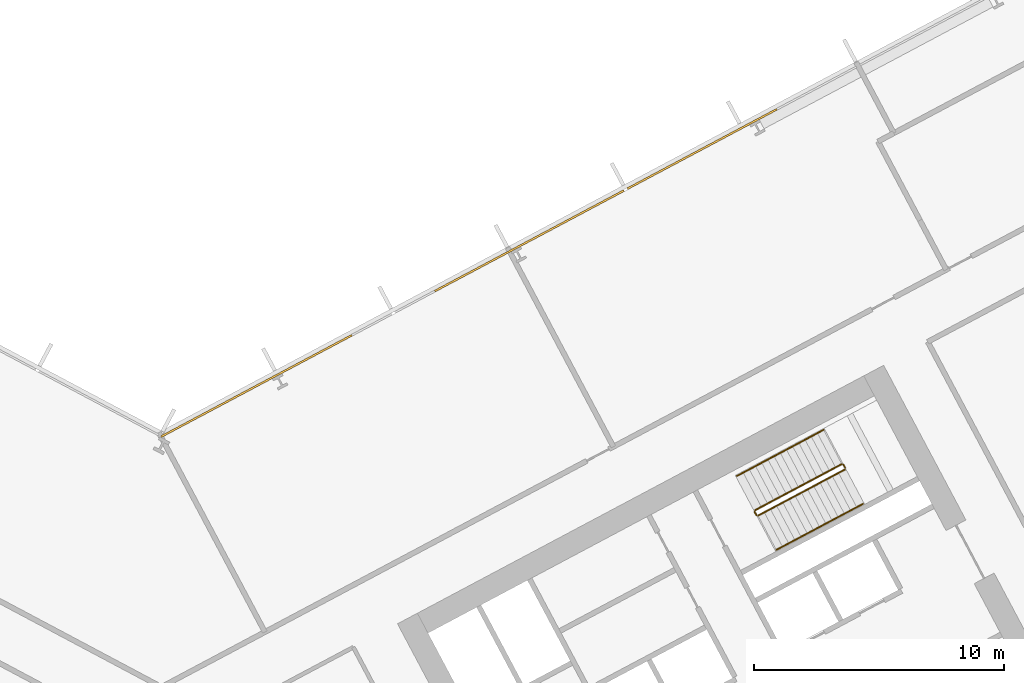
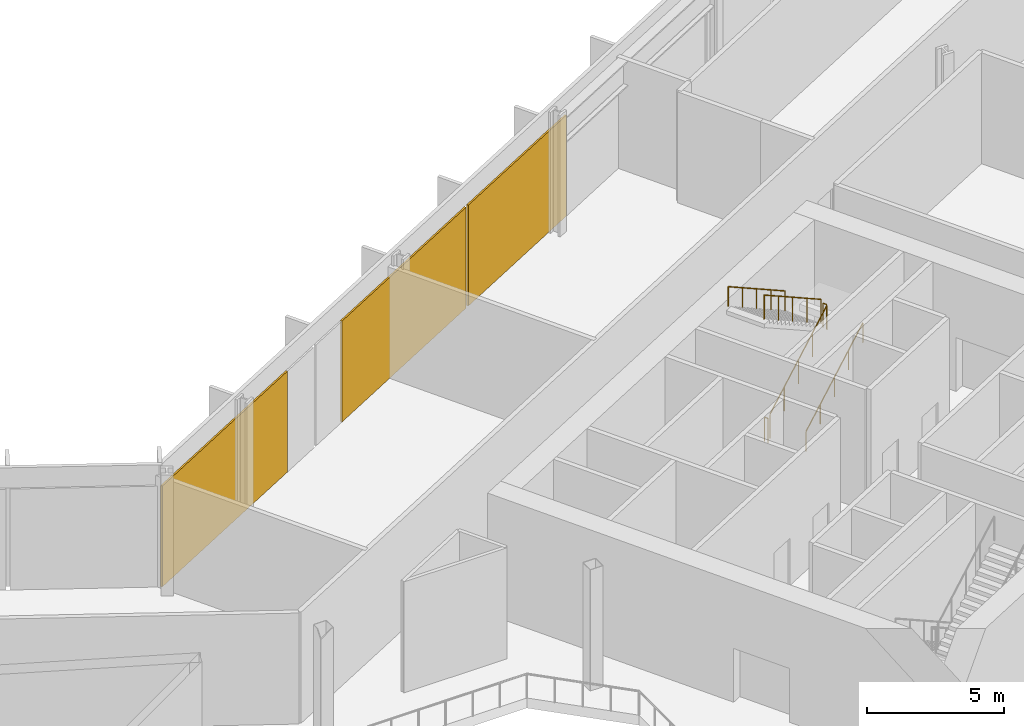
# One storey, part 29 of 32: 6 railings, 3 coverings, 1 element without a shape of its own.
"""IFC4 building model written with IfcOpenShell, lengths in metres."""

from ifc_helpers import new_model, si_unit, direction, frame, origin, origin_2d, place, context, subcontext, project, spatial, polyline, rectangle, outline, extrude, material, layer, layer_set, type_object, element, aggregate, save


model = new_model("IFC4")

# Units and contexts
model_context = context("Model", 3, precision=1e-05, world=origin(), true_north=direction((0.0, 1.0)))
body_context = subcontext(model_context, "Body", "Model", "MODEL_VIEW")
ifc_project = project(units=[si_unit("LENGTHUNIT", "METRE"), si_unit("AREAUNIT", "SQUARE_METRE"), si_unit("VOLUMEUNIT", "CUBIC_METRE"), si_unit("PLANEANGLEUNIT", "RADIAN"), si_unit("MASSUNIT", "GRAM", prefix="KILO")], contexts=[model_context])

# Site, building, storey
site_placement = place(None, origin())
site = spatial("IfcSite", under=ifc_project, at=site_placement, CompositionType="ELEMENT")
building_placement = place(site_placement, origin())
building = spatial("IfcBuilding", under=site, at=building_placement, Name="Cormorant Relay Tower", CompositionType="ELEMENT")
storey_placement = place(building_placement, frame((0.0, 0.0, 28.39990234375)))
storey = spatial("IfcBuildingStorey", under=building, at=storey_placement, Name="L05", CompositionType="ELEMENT", Elevation=28.39990234375)

# Curtain wall, coverings
ifc_material_1 = material(Name="Aluminium 6063-T6 anodised bronze", Category="aluminium")
ifc_layer_1 = layer(ifc_material_1, 0.235107421875)
ifc_layer_set_1 = layer_set([ifc_layer_1], Name="CW6 data hall curtain wall with mineral wool panels")
curtain_wall_type = type_object("IfcCurtainWallType", Name="CW6 data hall curtain wall with mineral wool panels", PredefinedType="NOTDEFINED", material=ifc_layer_set_1)
curtain_wall_placement = place(storey_placement, origin())
curtain_wall = element("IfcCurtainWall", 1, at=curtain_wall_placement, inside=storey, type_object=curtain_wall_type, Name="CW6 curtain wall 6", PredefinedType="NOTDEFINED")
ifc_material_2 = material(Name="Mineral wool cored anodised bronze aluminium cassette panel", Category="aluminium")
ifc_layer_2 = layer(ifc_material_2, 0.074951171875)
ifc_layer_set_2 = layer_set([ifc_layer_2], Name="CW6 mineral wool cassette panel 75")
covering_type = type_object("IfcCoveringType", Name="CW6 mineral wool cassette panel 75", PredefinedType="CLADDING", material=ifc_layer_set_2)
covering_1_placement = place(storey_placement, frame((21.604248046875, 35.313720703125, 0.0), z_axis=(0.0, 0.0, 1.0), x_axis=(-0.882947592859, -0.469471562786, 0.0)))
covering_1 = element("IfcCovering", 2, at=covering_1_placement, type_object=covering_type, Name="CW6 panel S05", PredefinedType="CLADDING", context=body_context, shape_type="SweptSolid", body=[
    extrude(rectangle(XDim=6.765380859375, YDim=0.074951171875, at=origin_2d()), origin(), (0.0, 0.0, 1.0), 4.5),
])
covering_2_placement = place(storey_placement, frame((14.70361328125, 31.64453125, 0.0), z_axis=(0.0, 0.0, 1.0), x_axis=(-0.882947592859, -0.469471562786, 0.0)))
covering_2 = element("IfcCovering", 3, at=covering_2_placement, type_object=covering_type, Name="CW6 panel S06", PredefinedType="CLADDING", context=body_context, shape_type="SweptSolid", body=[
    extrude(rectangle(XDim=8.565185546875, YDim=0.074951171875, at=origin_2d()), origin(), (0.0, 0.0, 1.0), 4.5),
])
covering_3_placement = place(storey_placement, frame((3.796875, 25.84521484375, 0.0), z_axis=(0.0, 0.0, 1.0), x_axis=(-0.882947592859, -0.469471562786, 0.0)))
covering_3 = element("IfcCovering", 4, at=covering_3_placement, type_object=covering_type, Name="CW6 panel S09", PredefinedType="CLADDING", context=body_context, shape_type="SweptSolid", body=[
    extrude(rectangle(XDim=8.640380859375, YDim=0.074951171875, at=origin_2d()), origin(), (0.0, 0.0, 1.0), 4.5),
])
aggregate(curtain_wall, [covering_1, covering_2, covering_3])

# Railings
ifc_material_3 = material(Name="Steel ASTM A572 Grade 50 (Fy 345 MPa)", Category="steel")
railing_type_1 = type_object("IfcRailingType", Name="Stair guard 1100", PredefinedType="GUARDRAIL", material=ifc_material_3)
railing_1_placement = place(storey_placement, frame((23.8408203125, 20.6611328125, 0.18017578125)))
element("IfcRailing", 5, at=railing_1_placement, inside=storey, type_object=railing_type_1, Name="L05 B2 stair guard 1", PredefinedType="GUARDRAIL", context=body_context, shape_type="SweptSolid", body=[
    extrude(outline(polyline([(0.022216796875, 0.00927734375), (0.00927734375, 0.022216796875), (-0.00927734375, 0.022216796875), (-0.022216796875, 0.00927734375), (-0.022216796875, -0.00927734375), (-0.00927734375, -0.022216796875), (0.00927734375, -0.022216796875), (0.022216796875, -0.00927734375), (0.022216796875, 0.00927734375)])), frame((0.0, 0.0, 1.076171875), z_axis=(0.74271721126, 0.394907409077, 0.540758062681), x_axis=(-0.469469396681, 0.882948744594, 0.0)), (0.0, 0.0, 1.0), 4.66015625),
    extrude(outline(polyline([(0.019287109375, 0.008056640625), (0.008056640625, 0.019287109375), (-0.008056640625, 0.019287109375), (-0.019287109375, 0.008056640625), (-0.019287109375, -0.008056640625), (-0.008056640625, -0.019287109375), (0.008056640625, -0.019287109375), (0.019287109375, -0.008056640625), (0.019287109375, 0.008056640625)])), origin(), (0.0, 0.0, 1.0), 1.052001953125),
    extrude(outline(polyline([(0.019287109375, 0.008056640625), (0.008056640625, 0.019287109375), (-0.008056640625, 0.019287109375), (-0.019287109375, 0.008056640625), (-0.019287109375, -0.008056640625), (-0.008056640625, -0.019287109375), (0.008056640625, -0.019287109375), (0.019287109375, -0.008056640625), (0.019287109375, 0.008056640625)])), frame((0.865234375, 0.4599609375, 0.6298828125)), (0.0, 0.0, 1.0), 1.052001953125),
    extrude(outline(polyline([(0.019287109375, 0.008056640625), (0.008056640625, 0.019287109375), (-0.008056640625, 0.019287109375), (-0.019287109375, 0.008056640625), (-0.019287109375, -0.008056640625), (-0.008056640625, -0.019287109375), (0.008056640625, -0.019287109375), (0.019287109375, -0.008056640625), (0.019287109375, 0.008056640625)])), frame((1.73046875, 0.920166015625, 1.260009765625)), (0.0, 0.0, 1.0), 1.052001953125),
    extrude(outline(polyline([(0.019287109375, 0.008056640625), (0.008056640625, 0.019287109375), (-0.008056640625, 0.019287109375), (-0.019287109375, 0.008056640625), (-0.019287109375, -0.008056640625), (-0.008056640625, -0.019287109375), (0.008056640625, -0.019287109375), (0.019287109375, -0.008056640625), (0.019287109375, 0.008056640625)])), frame((2.595947265625, 1.38037109375, 1.89013671875)), (0.0, 0.0, 1.0), 1.052001953125),
    extrude(outline(polyline([(0.019287109375, 0.008056640625), (0.008056640625, 0.019287109375), (-0.008056640625, 0.019287109375), (-0.019287109375, 0.008056640625), (-0.019287109375, -0.008056640625), (-0.008056640625, -0.019287109375), (0.008056640625, -0.019287109375), (0.019287109375, -0.008056640625), (0.019287109375, 0.008056640625)])), frame((3.461181640625, 1.84033203125, 2.52001953125)), (0.0, 0.0, 1.0), 1.052001953125),
])
railing_2_placement = place(storey_placement, frame((27.32275390625, 22.569091796875, 2.7001953125)))
element("IfcRailing", 6, at=railing_2_placement, inside=storey, type_object=railing_type_1, Name="L05 B2 stair guard 2", PredefinedType="GUARDRAIL", context=body_context, shape_type="SweptSolid", body=[
    extrude(outline(polyline([(0.022216796875, 0.00927734375), (0.00927734375, 0.022216796875), (-0.00927734375, 0.022216796875), (-0.022216796875, 0.00927734375), (-0.022216796875, -0.00927734375), (-0.00927734375, -0.022216796875), (0.00927734375, -0.022216796875), (0.022216796875, -0.00927734375), (0.022216796875, 0.00927734375)])), frame((0.0, 0.0, 1.076171875), z_axis=(-0.470503732759, 0.882398003998, 0.0), x_axis=(-0.882398003998, -0.470503732759, 0.0)), (0.0, 0.0, 1.0), 0.14990234375),
    extrude(outline(polyline([(0.019287109375, 0.008056640625), (0.008056640625, 0.019287109375), (-0.008056640625, 0.019287109375), (-0.019287109375, 0.008056640625), (-0.019287109375, -0.008056640625), (-0.008056640625, -0.019287109375), (0.008056640625, -0.019287109375), (0.019287109375, -0.008056640625), (0.019287109375, 0.008056640625)])), origin(), (0.0, 0.0, 1.0), 1.052001953125),
    extrude(outline(polyline([(0.019287109375, 0.008056640625), (0.008056640625, 0.019287109375), (-0.008056640625, 0.019287109375), (-0.019287109375, 0.008056640625), (-0.019287109375, -0.008056640625), (-0.008056640625, -0.019287109375), (0.008056640625, -0.019287109375), (0.019287109375, -0.008056640625), (0.019287109375, 0.008056640625)])), frame((-0.070556640625, 0.13232421875, 0.0)), (0.0, 0.0, 1.0), 1.052001953125),
])
railing_3_placement = place(storey_placement, frame((27.1845703125, 22.72216796875, 2.880126953125)))
element("IfcRailing", 7, at=railing_3_placement, inside=storey, type_object=railing_type_1, Name="L05 B2 stair guard 3", PredefinedType="GUARDRAIL", context=body_context, shape_type="SweptSolid", body=[
    extrude(outline(polyline([(0.022216796875, 0.00927734375), (0.00927734375, 0.022216796875), (-0.00927734375, 0.022216796875), (-0.022216796875, 0.00927734375), (-0.022216796875, -0.00927734375), (-0.00927734375, -0.022216796875), (0.00927734375, -0.022216796875), (0.022216796875, -0.00927734375), (0.022216796875, 0.00927734375)])), frame((0.0, 0.0, 1.076171875), z_axis=(-0.74271721126, -0.394907409077, 0.540758062681), x_axis=(0.469469396681, -0.882948744594, 0.0)), (0.0, 0.0, 1.0), 4.66015625),
    extrude(outline(polyline([(0.019287109375, 0.008056640625), (0.008056640625, 0.019287109375), (-0.008056640625, 0.019287109375), (-0.019287109375, 0.008056640625), (-0.019287109375, -0.008056640625), (-0.008056640625, -0.019287109375), (0.008056640625, -0.019287109375), (0.019287109375, -0.008056640625), (0.019287109375, 0.008056640625)])), origin(), (0.0, 0.0, 1.0), 1.052001953125),
    extrude(outline(polyline([(0.019287109375, 0.008056640625), (0.008056640625, 0.019287109375), (-0.008056640625, 0.019287109375), (-0.019287109375, 0.008056640625), (-0.019287109375, -0.008056640625), (-0.008056640625, -0.019287109375), (0.008056640625, -0.019287109375), (0.019287109375, -0.008056640625), (0.019287109375, 0.008056640625)])), frame((-0.865234375, -0.4599609375, 0.6298828125)), (0.0, 0.0, 1.0), 1.052001953125),
    extrude(outline(polyline([(0.019287109375, 0.008056640625), (0.008056640625, 0.019287109375), (-0.008056640625, 0.019287109375), (-0.019287109375, 0.008056640625), (-0.019287109375, -0.008056640625), (-0.008056640625, -0.019287109375), (0.008056640625, -0.019287109375), (0.019287109375, -0.008056640625), (0.019287109375, 0.008056640625)])), frame((-1.73046875, -0.920166015625, 1.260009765625)), (0.0, 0.0, 1.0), 1.052001953125),
    extrude(outline(polyline([(0.019287109375, 0.008056640625), (0.008056640625, 0.019287109375), (-0.008056640625, 0.019287109375), (-0.019287109375, 0.008056640625), (-0.019287109375, -0.008056640625), (-0.008056640625, -0.019287109375), (0.008056640625, -0.019287109375), (0.019287109375, -0.008056640625), (0.019287109375, 0.008056640625)])), frame((-2.595947265625, -1.38037109375, 1.89013671875)), (0.0, 0.0, 1.0), 1.052001953125),
    extrude(outline(polyline([(0.019287109375, 0.008056640625), (0.008056640625, 0.019287109375), (-0.008056640625, 0.019287109375), (-0.019287109375, 0.008056640625), (-0.019287109375, -0.008056640625), (-0.008056640625, -0.019287109375), (0.008056640625, -0.019287109375), (0.019287109375, -0.008056640625), (0.019287109375, 0.008056640625)])), frame((-3.461181640625, -1.84033203125, 2.52001953125)), (0.0, 0.0, 1.0), 1.052001953125),
])
railing_4_placement = place(storey_placement, frame((23.773193359375, 20.681640625, 0.0)))
element("IfcRailing", 8, at=railing_4_placement, inside=storey, type_object=railing_type_1, Name="L05 B2 stair guard 4", PredefinedType="GUARDRAIL", context=body_context, shape_type="SweptSolid", body=[
    extrude(outline(polyline([(0.022216796875, 0.00927734375), (0.00927734375, 0.022216796875), (-0.00927734375, 0.022216796875), (-0.022216796875, 0.00927734375), (-0.022216796875, -0.00927734375), (-0.00927734375, -0.022216796875), (0.00927734375, -0.022216796875), (0.022216796875, -0.00927734375), (0.022216796875, 0.00927734375)])), frame((0.0, 0.0, 1.076171875), z_axis=(-0.46856034887, 0.8834314911, 0.0), x_axis=(-0.8834314911, -0.46856034887, 0.0)), (0.0, 0.0, 1.0), 0.150146484375),
    extrude(outline(polyline([(0.019287109375, 0.008056640625), (0.008056640625, 0.019287109375), (-0.008056640625, 0.019287109375), (-0.019287109375, 0.008056640625), (-0.019287109375, -0.008056640625), (-0.008056640625, -0.019287109375), (0.008056640625, -0.019287109375), (0.019287109375, -0.008056640625), (0.019287109375, 0.008056640625)])), origin(), (0.0, 0.0, 1.0), 1.052001953125),
    extrude(outline(polyline([(0.019287109375, 0.008056640625), (0.008056640625, 0.019287109375), (-0.008056640625, 0.019287109375), (-0.019287109375, 0.008056640625), (-0.019287109375, -0.008056640625), (-0.008056640625, -0.019287109375), (0.008056640625, -0.019287109375), (0.019287109375, -0.008056640625), (0.019287109375, 0.008056640625)])), frame((-0.0703125, 0.132568359375, 0.0)), (0.0, 0.0, 1.0), 1.052001953125),
])
ifc_material_4 = material(Name="Steel ASTM A572 Grade 50 (Fy 345 MPa)", Category="steel")
railing_type_2 = type_object("IfcRailingType", Name="Stair handrail 900", PredefinedType="HANDRAIL", material=ifc_material_4)
railing_5_placement = place(storey_placement, frame((24.568603515625, 19.29248046875, 0.18017578125)))
element("IfcRailing", 9, at=railing_5_placement, inside=storey, type_object=railing_type_2, Name="L05 B2 stair handrail 1", PredefinedType="HANDRAIL", context=body_context, shape_type="SweptSolid", body=[
    extrude(outline(polyline([(0.022216796875, 0.00927734375), (0.00927734375, 0.022216796875), (-0.00927734375, 0.022216796875), (-0.022216796875, 0.00927734375), (-0.022216796875, -0.00927734375), (-0.00927734375, -0.022216796875), (0.00927734375, -0.022216796875), (0.022216796875, -0.00927734375), (0.022216796875, 0.00927734375)])), frame((0.0, 0.0, 0.8759765625), z_axis=(0.74271721126, 0.394907409077, 0.540758062681), x_axis=(-0.469469396681, 0.882948744594, 0.0)), (0.0, 0.0, 1.0), 4.66015625),
    extrude(outline(polyline([(0.019287109375, 0.008056640625), (0.008056640625, 0.019287109375), (-0.008056640625, 0.019287109375), (-0.019287109375, 0.008056640625), (-0.019287109375, -0.008056640625), (-0.008056640625, -0.019287109375), (0.008056640625, -0.019287109375), (0.019287109375, -0.008056640625), (0.019287109375, 0.008056640625)])), origin(), (0.0, 0.0, 1.0), 0.851806640625),
    extrude(outline(polyline([(0.019287109375, 0.008056640625), (0.008056640625, 0.019287109375), (-0.008056640625, 0.019287109375), (-0.019287109375, 0.008056640625), (-0.019287109375, -0.008056640625), (-0.008056640625, -0.019287109375), (0.008056640625, -0.019287109375), (0.019287109375, -0.008056640625), (0.019287109375, 0.008056640625)])), frame((0.865234375, 0.4599609375, 0.6298828125)), (0.0, 0.0, 1.0), 0.851806640625),
    extrude(outline(polyline([(0.019287109375, 0.008056640625), (0.008056640625, 0.019287109375), (-0.008056640625, 0.019287109375), (-0.019287109375, 0.008056640625), (-0.019287109375, -0.008056640625), (-0.008056640625, -0.019287109375), (0.008056640625, -0.019287109375), (0.019287109375, -0.008056640625), (0.019287109375, 0.008056640625)])), frame((1.73046875, 0.920166015625, 1.260009765625)), (0.0, 0.0, 1.0), 0.851806640625),
    extrude(outline(polyline([(0.019287109375, 0.008056640625), (0.008056640625, 0.019287109375), (-0.008056640625, 0.019287109375), (-0.019287109375, 0.008056640625), (-0.019287109375, -0.008056640625), (-0.008056640625, -0.019287109375), (0.008056640625, -0.019287109375), (0.019287109375, -0.008056640625), (0.019287109375, 0.008056640625)])), frame((2.595947265625, 1.38037109375, 1.89013671875)), (0.0, 0.0, 1.0), 0.851806640625),
    extrude(outline(polyline([(0.019287109375, 0.008056640625), (0.008056640625, 0.019287109375), (-0.008056640625, 0.019287109375), (-0.019287109375, 0.008056640625), (-0.019287109375, -0.008056640625), (-0.008056640625, -0.019287109375), (0.008056640625, -0.019287109375), (0.019287109375, -0.008056640625), (0.019287109375, 0.008056640625)])), frame((3.461181640625, 1.84033203125, 2.52001953125)), (0.0, 0.0, 1.0), 0.851806640625),
])
railing_6_placement = place(storey_placement, frame((26.45703125, 24.090576171875, 2.880126953125)))
element("IfcRailing", 10, at=railing_6_placement, inside=storey, type_object=railing_type_2, Name="L05 B2 stair handrail 2", PredefinedType="HANDRAIL", context=body_context, shape_type="SweptSolid", body=[
    extrude(outline(polyline([(0.022216796875, 0.00927734375), (0.00927734375, 0.022216796875), (-0.00927734375, 0.022216796875), (-0.022216796875, 0.00927734375), (-0.022216796875, -0.00927734375), (-0.00927734375, -0.022216796875), (0.00927734375, -0.022216796875), (0.022216796875, -0.00927734375), (0.022216796875, 0.00927734375)])), frame((0.0, 0.0, 0.8759765625), z_axis=(-0.74271721126, -0.394907409077, 0.540758062681), x_axis=(0.469469396681, -0.882948744594, 0.0)), (0.0, 0.0, 1.0), 4.66015625),
    extrude(outline(polyline([(0.019287109375, 0.008056640625), (0.008056640625, 0.019287109375), (-0.008056640625, 0.019287109375), (-0.019287109375, 0.008056640625), (-0.019287109375, -0.008056640625), (-0.008056640625, -0.019287109375), (0.008056640625, -0.019287109375), (0.019287109375, -0.008056640625), (0.019287109375, 0.008056640625)])), origin(), (0.0, 0.0, 1.0), 0.851806640625),
    extrude(outline(polyline([(0.019287109375, 0.008056640625), (0.008056640625, 0.019287109375), (-0.008056640625, 0.019287109375), (-0.019287109375, 0.008056640625), (-0.019287109375, -0.008056640625), (-0.008056640625, -0.019287109375), (0.008056640625, -0.019287109375), (0.019287109375, -0.008056640625), (0.019287109375, 0.008056640625)])), frame((-0.865234375, -0.4599609375, 0.6298828125)), (0.0, 0.0, 1.0), 0.851806640625),
    extrude(outline(polyline([(0.019287109375, 0.008056640625), (0.008056640625, 0.019287109375), (-0.008056640625, 0.019287109375), (-0.019287109375, 0.008056640625), (-0.019287109375, -0.008056640625), (-0.008056640625, -0.019287109375), (0.008056640625, -0.019287109375), (0.019287109375, -0.008056640625), (0.019287109375, 0.008056640625)])), frame((-1.73046875, -0.920166015625, 1.260009765625)), (0.0, 0.0, 1.0), 0.851806640625),
    extrude(outline(polyline([(0.019287109375, 0.008056640625), (0.008056640625, 0.019287109375), (-0.008056640625, 0.019287109375), (-0.019287109375, 0.008056640625), (-0.019287109375, -0.008056640625), (-0.008056640625, -0.019287109375), (0.008056640625, -0.019287109375), (0.019287109375, -0.008056640625), (0.019287109375, 0.008056640625)])), frame((-2.595947265625, -1.38037109375, 1.89013671875)), (0.0, 0.0, 1.0), 0.851806640625),
    extrude(outline(polyline([(0.019287109375, 0.008056640625), (0.008056640625, 0.019287109375), (-0.008056640625, 0.019287109375), (-0.019287109375, 0.008056640625), (-0.019287109375, -0.008056640625), (-0.008056640625, -0.019287109375), (0.008056640625, -0.019287109375), (0.019287109375, -0.008056640625), (0.019287109375, 0.008056640625)])), frame((-3.461181640625, -1.84033203125, 2.52001953125)), (0.0, 0.0, 1.0), 0.851806640625),
])

save(model, "model.ifc")
